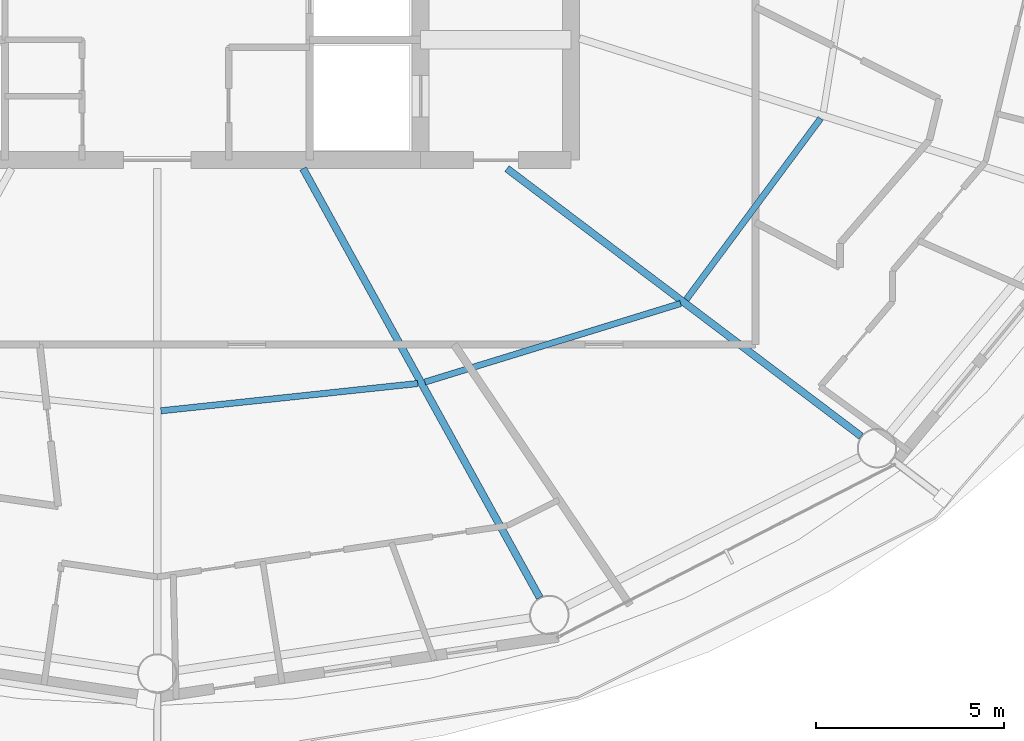
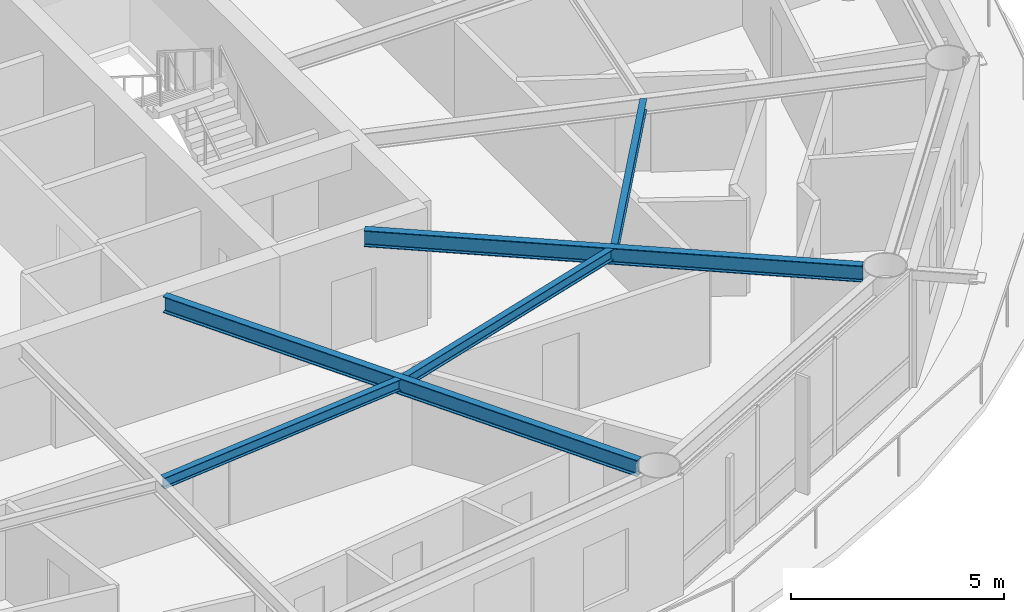
# One storey, part 6 of 28: 5 beams.
"""IFC4 building model written with IfcOpenShell, lengths in metres."""

from ifc_helpers import new_model, si_unit, direction, frame, origin, origin_2d, place, context, subcontext, project, spatial, i_section, extrude, material, material_profile, profile_set, type_object, element, save


model = new_model("IFC4")

# Units and contexts
model_context = context("Model", 3, precision=1e-05, world=origin(), true_north=direction((0.0, 1.0)))
body_context = subcontext(model_context, "Body", "Model", "MODEL_VIEW")
ifc_project = project(units=[si_unit("LENGTHUNIT", "METRE"), si_unit("AREAUNIT", "SQUARE_METRE"), si_unit("VOLUMEUNIT", "CUBIC_METRE"), si_unit("PLANEANGLEUNIT", "RADIAN"), si_unit("MASSUNIT", "GRAM", prefix="KILO")], contexts=[model_context])

# Site, building, storey
site_placement = place(None, origin())
site = spatial("IfcSite", under=ifc_project, at=site_placement, CompositionType="ELEMENT")
building_placement = place(site_placement, origin())
building = spatial("IfcBuilding", under=site, at=building_placement, Name="Sarneth Arch Tower", CompositionType="ELEMENT")
storey_placement = place(building_placement, frame((0.0, 0.0, 172.199951171875)))
storey = spatial("IfcBuildingStorey", under=building, at=storey_placement, Name="L43", CompositionType="ELEMENT", Elevation=172.199951171875)

# Beams
ifc_material_1 = material(Name="Steel S355", Category="steel")
ifc_material_profile_1 = material_profile(ifc_material_1, i_section(OverallWidth=0.1669921875, OverallDepth=0.31689453125, WebThickness=0.007568359375, FlangeThickness=0.01318359375, FilletRadius=0.012939453125, at=origin_2d()), Name="W310x52")
ifc_profile_set_1 = profile_set([ifc_material_profile_1], Name="Steel S355")
beam_type_1 = type_object("IfcBeamType", Name="BM-JOIST-310B", PredefinedType="JOIST", material=ifc_profile_set_1)
beam_1_placement = place(storey_placement, frame((48.095947265625, 28.53515625, 3.221435546875), z_axis=(0.994407831942, 0.105608066799, 0.0), x_axis=(-0.105608066799, 0.994407831942, 0.0)))
element("IfcBeam", 1, at=beam_1_placement, inside=storey, type_object=beam_type_1, Name="L43 Secondary floor joist 13", PredefinedType="JOIST", context=body_context, shape_type="SweptSolid", body=[
    extrude(i_section(OverallWidth=0.1669921875, OverallDepth=0.31689453125, WebThickness=0.007568359375, FlangeThickness=0.01318359375, FilletRadius=0.012939453125, at=origin_2d()), origin(), (0.0, 0.0, 1.0), 6.8681640625),
])
beam_2_placement = place(storey_placement, frame((55.114013671875, 29.299072265625, 3.221435546875), z_axis=(0.955929549608, 0.293596144707, 0.0), x_axis=(-0.293596144707, 0.955929549608, 0.0)))
element("IfcBeam", 2, at=beam_2_placement, inside=storey, type_object=beam_type_1, Name="L43 Secondary floor joist 14", PredefinedType="JOIST", context=body_context, shape_type="SweptSolid", body=[
    extrude(i_section(OverallWidth=0.1669921875, OverallDepth=0.31689453125, WebThickness=0.007568359375, FlangeThickness=0.01318359375, FilletRadius=0.012939453125, at=origin_2d()), origin(), (0.0, 0.0, 1.0), 7.1123046875),
])
beam_3_placement = place(storey_placement, frame((62.062744140625, 31.4931640625, 3.221435546875), z_axis=(0.595933334016, 0.803033910497, 0.0), x_axis=(-0.803033910497, 0.595933334016, 0.0)))
element("IfcBeam", 3, at=beam_3_placement, inside=storey, type_object=beam_type_1, Name="L43 Secondary floor joist 15", PredefinedType="JOIST", context=body_context, shape_type="SweptSolid", body=[
    extrude(i_section(OverallWidth=0.1669921875, OverallDepth=0.31689453125, WebThickness=0.007568359375, FlangeThickness=0.01318359375, FilletRadius=0.012939453125, at=origin_2d()), origin(), (0.0, 0.0, 1.0), 5.99560546875),
])
ifc_material_2 = material(Name="Steel S355", Category="steel")
ifc_material_profile_2 = material_profile(ifc_material_2, i_section(OverallWidth=0.193115234375, OverallDepth=0.466064453125, WebThickness=0.011474609375, FlangeThickness=0.01904296875, FilletRadius=0.01806640625, at=origin_2d()), Name="W460x97")
ifc_profile_set_2 = profile_set([ifc_material_profile_2], Name="Steel S355")
beam_type_2 = type_object("IfcBeamType", Name="BM-RAD-460C", PredefinedType="BEAM", material=ifc_profile_set_2)
beam_4_placement = place(storey_placement, frame((51.875, 34.97509765625, 3.14697265625), z_axis=(0.483004525121, -0.87561785541, 0.0), x_axis=(0.87561785541, 0.483004525121, 0.0)))
element("IfcBeam", 4, at=beam_4_placement, inside=storey, type_object=beam_type_2, Name="L43 Radial floor girder 14", PredefinedType="BEAM", context=body_context, shape_type="SweptSolid", body=[
    extrude(i_section(OverallWidth=0.193115234375, OverallDepth=0.466064453125, WebThickness=0.011474609375, FlangeThickness=0.01904296875, FilletRadius=0.01806640625, at=origin_2d()), origin(), (0.0, 0.0, 1.0), 13.029296875),
])
beam_5_placement = place(storey_placement, frame((57.29541015625, 34.97509765625, 3.14697265625), z_axis=(0.797786205076, -0.602940437349, 0.0), x_axis=(0.602940437349, 0.797786205076, 0.0)))
element("IfcBeam", 5, at=beam_5_placement, inside=storey, type_object=beam_type_2, Name="L43 Radial floor girder 15", PredefinedType="BEAM", context=body_context, shape_type="SweptSolid", body=[
    extrude(i_section(OverallWidth=0.193115234375, OverallDepth=0.466064453125, WebThickness=0.011474609375, FlangeThickness=0.01904296875, FilletRadius=0.01806640625, at=origin_2d()), origin(), (0.0, 0.0, 1.0), 11.806884765625),
])

save(model, "model.ifc")
